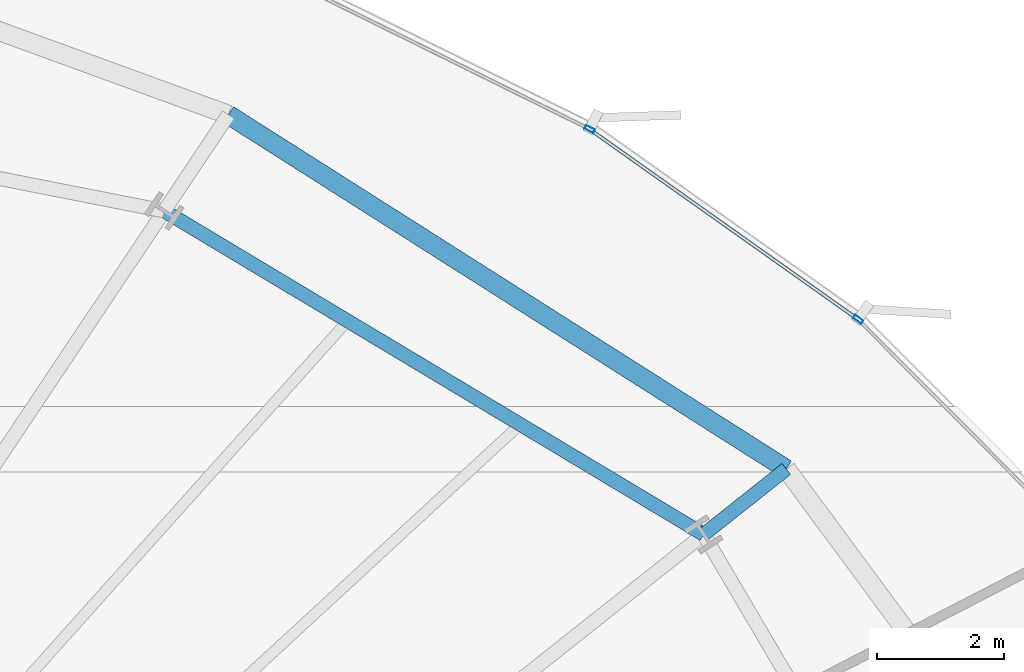
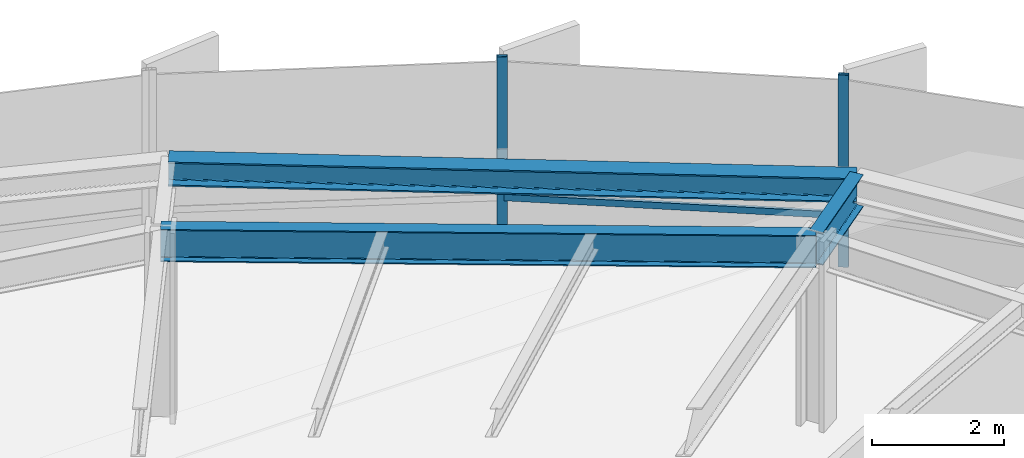
# One storey, part 24 of 39: 3 beams, 3 members, 1 element without a shape of its own.
"""IFC4 building model written with IfcOpenShell, lengths in metres."""

from ifc_helpers import new_model, si_unit, direction, frame, origin, origin_2d, place, context, subcontext, project, spatial, hollow_rectangle, i_section, extrude, source, transform, mapped, material, layer, layer_set, material_profile, profile_set, type_object, element, aggregate, save


model = new_model("IFC4")

# Units and contexts
model_context = context("Model", 3, precision=1e-05, world=origin(), true_north=direction((0.0, 1.0)))
body_context = subcontext(model_context, "Body", "Model", "MODEL_VIEW")
ifc_project = project(units=[si_unit("LENGTHUNIT", "METRE"), si_unit("AREAUNIT", "SQUARE_METRE"), si_unit("VOLUMEUNIT", "CUBIC_METRE"), si_unit("PLANEANGLEUNIT", "RADIAN"), si_unit("MASSUNIT", "GRAM", prefix="KILO"), si_unit("THERMODYNAMICTEMPERATUREUNIT", "KELVIN")], contexts=[model_context])

# Site, building, storey
site_placement = place(None, origin())
site = spatial("IfcSite", under=ifc_project, at=site_placement, CompositionType="ELEMENT")
building_placement = place(site_placement, origin())
building = spatial("IfcBuilding", under=site, at=building_placement, Name="Kethvar Cultural Tower", CompositionType="ELEMENT")
storey_placement = place(building_placement, frame((0.0, 0.0, 41.0)))
storey = spatial("IfcBuildingStorey", under=building, at=storey_placement, Name="L09", CompositionType="ELEMENT", Elevation=41.0)

# Beams
ifc_material_1 = material(Name="Steel S355J2", Category="steel")
ifc_material_profile_1 = material_profile(ifc_material_1, i_section(OverallWidth=0.219970703125, OverallDepth=0.60009765625, WebThickness=0.011962890625, FlangeThickness=0.01904296875, FilletRadius=0.02392578125, at=origin_2d()), Name="Steel S355J2 — IPE600")
ifc_profile_set_1 = profile_set([ifc_material_profile_1], Name="Steel S355J2 — IPE600")
beam_type_1 = type_object("IfcBeamType", Name="BM-IPE600", PredefinedType="BEAM", material=ifc_profile_set_1)
shared_shape_1 = source(origin(), body_context, "Body", "SweptSolid", [
    extrude(i_section(OverallWidth=0.219970703125, OverallDepth=0.60009765625, WebThickness=0.011962890625, FlangeThickness=0.01904296875, FilletRadius=0.02392578125, at=origin_2d()), origin(), (0.0, 0.0, 1.0), 9.924072265625),
])
beam_1_placement = place(storey_placement, frame((68.33642578125, 42.190185546875, 3.248046875), z_axis=(-0.857664361463, 0.514209921215, 0.0), x_axis=(-0.514209921215, -0.857664361463, 0.0)))
element("IfcBeam", 1, at=beam_1_placement, inside=storey, type_object=beam_type_1, Name="L09 Column Ring Tie Beam CR-02", PredefinedType="BEAM", context=body_context, shape_type="MappedRepresentation", body=[
    mapped(shared_shape_1, transform((0.0, 0.0, 0.0), scale=1.0)),
])
shared_shape_2 = source(origin(), body_context, "Body", "SweptSolid", [
    extrude(i_section(OverallWidth=0.219970703125, OverallDepth=0.60009765625, WebThickness=0.011962890625, FlangeThickness=0.01904296875, FilletRadius=0.02392578125, at=origin_2d()), origin(), (0.0, 0.0, 1.0), 1.662353515625),
])
beam_2_placement = place(storey_placement, frame((68.33642578125, 42.190185546875, 3.248046875), z_axis=(0.783840290176, 0.620962478333, 0.0), x_axis=(-0.620962478333, 0.783840290176, 0.0)))
element("IfcBeam", 2, at=beam_2_placement, inside=storey, type_object=beam_type_1, Name="L09 Perimeter Cantilever Beam RC-02", PredefinedType="BEAM", context=body_context, shape_type="MappedRepresentation", body=[
    mapped(shared_shape_2, transform((0.0, 0.0, 0.0), scale=1.0)),
])
ifc_material_profile_2 = material_profile(ifc_material_1, i_section(OverallWidth=0.300048828125, OverallDepth=0.449951171875, WebThickness=0.013916015625, FlangeThickness=0.02587890625, FilletRadius=0.027099609375, at=origin_2d()), Name="Steel S355J2 — HEB450")
ifc_profile_set_2 = profile_set([ifc_material_profile_2], Name="Steel S355J2 — HEB450")
beam_type_2 = type_object("IfcBeamType", Name="BM-SP450", PredefinedType="SPANDREL", material=ifc_profile_set_2)
shared_shape_3 = source(origin(), body_context, "Body", "SweptSolid", [
    extrude(i_section(OverallWidth=0.300048828125, OverallDepth=0.449951171875, WebThickness=0.013916015625, FlangeThickness=0.02587890625, FilletRadius=0.027099609375, at=origin_2d()), origin(), (0.0, 0.0, 1.0), 10.4248046875),
])
beam_3_placement = place(storey_placement, frame((69.639404296875, 43.222412109375, 3.322998046875), z_axis=(-0.844208778187, 0.536014494983, 0.0), x_axis=(-0.536014494983, -0.844208778187, 0.0)))
element("IfcBeam", 3, at=beam_3_placement, inside=storey, type_object=beam_type_2, Name="L09 Perimeter Spandrel Beam SP-02", PredefinedType="SPANDREL", context=body_context, shape_type="MappedRepresentation", body=[
    mapped(shared_shape_3, transform((0.0, 0.0, 0.0), scale=1.0)),
])

# Curtain wall, members
ifc_material_2 = material(Name="Aluminium 6063-T6", Category="aluminium")
ifc_layer = layer(ifc_material_2, 0.179931640625, Name="Aluminium 6063-T6", Category="aluminium")
ifc_layer_set = layer_set([ifc_layer], Name="Aluminium 6063-T6 (180 mm)")
curtain_wall_type = type_object("IfcCurtainWallType", Name="CW-SYS-02-Z1", PredefinedType="NOTDEFINED", material=ifc_layer_set)
curtain_wall_placement = place(storey_placement, origin())
curtain_wall = element("IfcCurtainWall", 4, at=curtain_wall_placement, inside=storey, type_object=curtain_wall_type, Name="L09 Curtain Wall Run 01", PredefinedType="NOTDEFINED")
ifc_material_profile_3 = material_profile(ifc_material_2, hollow_rectangle(XDim=0.06494140625, YDim=0.159912109375, WallThickness=0.0048828125, at=origin_2d()), Name="Aluminium 6063-T6 — RHS160x65x5")
ifc_profile_set_3 = profile_set([ifc_material_profile_3], Name="Aluminium 6063-T6 — RHS160x65x5")
member_type_1 = type_object("IfcMemberType", Name="CW-SYS-02-Z1-MUL", PredefinedType="MULLION", material=ifc_profile_set_3)
shared_shape_4 = source(origin(), body_context, "Body", "SweptSolid", [
    extrude(hollow_rectangle(XDim=0.06494140625, YDim=0.159912109375, WallThickness=0.0048828125, at=origin_2d()), origin(), (0.0, 0.0, 1.0), 3.550048828125),
])
member_1_placement = place(storey_placement, frame((70.772216796875, 45.582275390625, 0.0), z_axis=(0.0, 0.0, 1.0), x_axis=(-0.577985815847, -0.816046810348, 0.0)))
member_1 = element("IfcMember", 5, at=member_1_placement, type_object=member_type_1, Name="CW-L09-R01 Mullion 5", PredefinedType="MULLION", context=body_context, shape_type="MappedRepresentation", body=[
    mapped(shared_shape_4, transform((0.0, 0.0, 0.0), scale=1.0)),
])
member_2_placement = place(storey_placement, frame((66.53759765625, 48.583251953125, 0.0), z_axis=(0.0, 0.0, 1.0), x_axis=(-0.442977308555, -0.896532823774, 0.0)))
member_2 = element("IfcMember", 6, at=member_2_placement, type_object=member_type_1, Name="CW-L09-R01 Mullion 6", PredefinedType="MULLION", context=body_context, shape_type="MappedRepresentation", body=[
    mapped(shared_shape_4, transform((0.0, 0.0, 0.0), scale=1.0)),
])
ifc_material_profile_4 = material_profile(ifc_material_2, hollow_rectangle(XDim=0.054931640625, YDim=0.1201171875, WallThickness=0.00390625, at=origin_2d()), Name="Aluminium 6063-T6 — RHS120x55x4")
ifc_profile_set_4 = profile_set([ifc_material_profile_4], Name="Aluminium 6063-T6 — RHS120x55x4")
member_type_2 = type_object("IfcMemberType", Name="CW-SYS-02-Z1-TRN", PredefinedType="USERDEFINED", material=ifc_profile_set_4)
shared_shape_5 = source(origin(), body_context, "Body", "SweptSolid", [
    extrude(hollow_rectangle(XDim=0.054931640625, YDim=0.1201171875, WallThickness=0.00390625, at=origin_2d()), origin(), (0.0, 0.0, 1.0), 5.115478515625),
])
member_3_placement = place(storey_placement, frame((70.734130859375, 45.609130859375, 0.949951171875), z_axis=(-0.816026357049, 0.578014692375, 0.0), x_axis=(-0.578014692375, -0.816026357049, 0.0)))
member_3 = element("IfcMember", 7, at=member_3_placement, type_object=member_type_2, Name="CW-L09-R01 Transom 5", ObjectType="TRANSOM", PredefinedType="USERDEFINED", context=body_context, shape_type="MappedRepresentation", body=[
    mapped(shared_shape_5, transform((0.0, 0.0, 0.0), scale=1.0)),
])
aggregate(curtain_wall, [member_1, member_2, member_3])

save(model, "model.ifc")
